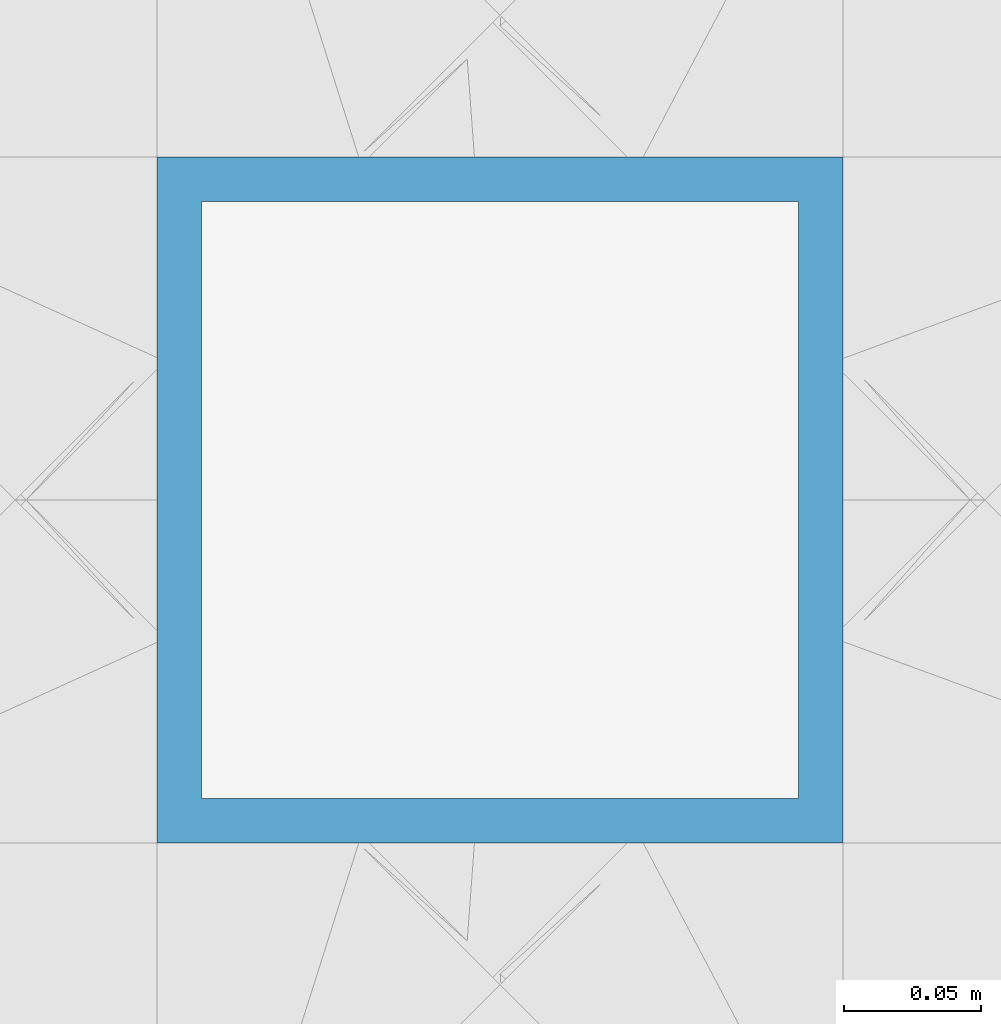
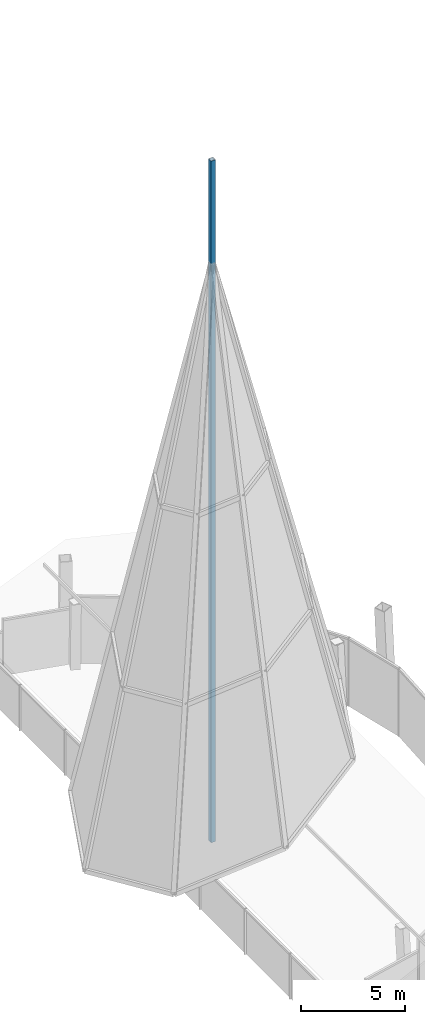
# One storey, part 3 of 16: 1 member.
"""IFC4 building model written with IfcOpenShell, lengths in metres."""

from ifc_helpers import new_model, si_unit, direction, frame, origin, origin_2d, place, context, subcontext, project, spatial, hollow_rectangle, extrude, material, material_profile, profile_set, type_object, element, save


model = new_model("IFC4")

# Units and contexts
model_context = context("Model", 3, precision=1e-05, world=origin(), true_north=direction((0.0, 1.0)))
body_context = subcontext(model_context, "Body", "Model", "MODEL_VIEW")
ifc_project = project(units=[si_unit("LENGTHUNIT", "METRE"), si_unit("AREAUNIT", "SQUARE_METRE"), si_unit("VOLUMEUNIT", "CUBIC_METRE"), si_unit("PLANEANGLEUNIT", "RADIAN"), si_unit("MASSUNIT", "GRAM", prefix="KILO")], contexts=[model_context])

# Site, building, storey
site_placement = place(None, origin())
site = spatial("IfcSite", under=ifc_project, at=site_placement, CompositionType="ELEMENT")
building_placement = place(site_placement, origin())
building = spatial("IfcBuilding", under=site, at=building_placement, Name="Ogive Gate Towers", CompositionType="ELEMENT")
storey_placement = place(building_placement, frame((0.0, 0.0, 310.0)))
storey = spatial("IfcBuildingStorey", under=building, at=storey_placement, Name="L73", CompositionType="ELEMENT", Elevation=310.0)

# Member
ifc_material = material(Name="Steel SM460", Category="steel")
ifc_material_profile = material_profile(ifc_material, hollow_rectangle(XDim=0.25, YDim=0.25, WallThickness=0.01611328125, at=origin_2d()), Name="BX 250x250x16")
ifc_profile_set = profile_set([ifc_material_profile], Name="Steel SM460")
member_type = type_object("IfcMemberType", Name="Crown spire mast BX 250x250x16", PredefinedType="MEMBER", material=ifc_profile_set)
member_placement = place(storey_placement, frame((-31.0, 0.0, 0.0), z_axis=(0.0, 0.0, 1.0), x_axis=(1.0, 0.0, 0.0)))
element("IfcMember", 1, at=member_placement, inside=storey, type_object=member_type, Name="Crown spire mast", PredefinedType="MEMBER", context=body_context, shape_type="SweptSolid", body=[
    extrude(hollow_rectangle(XDim=0.25, YDim=0.25, WallThickness=0.01611328125, at=origin_2d()), origin(), (0.0, 0.0, 1.0), 39.867919921875),
])

save(model, "model.ifc")
